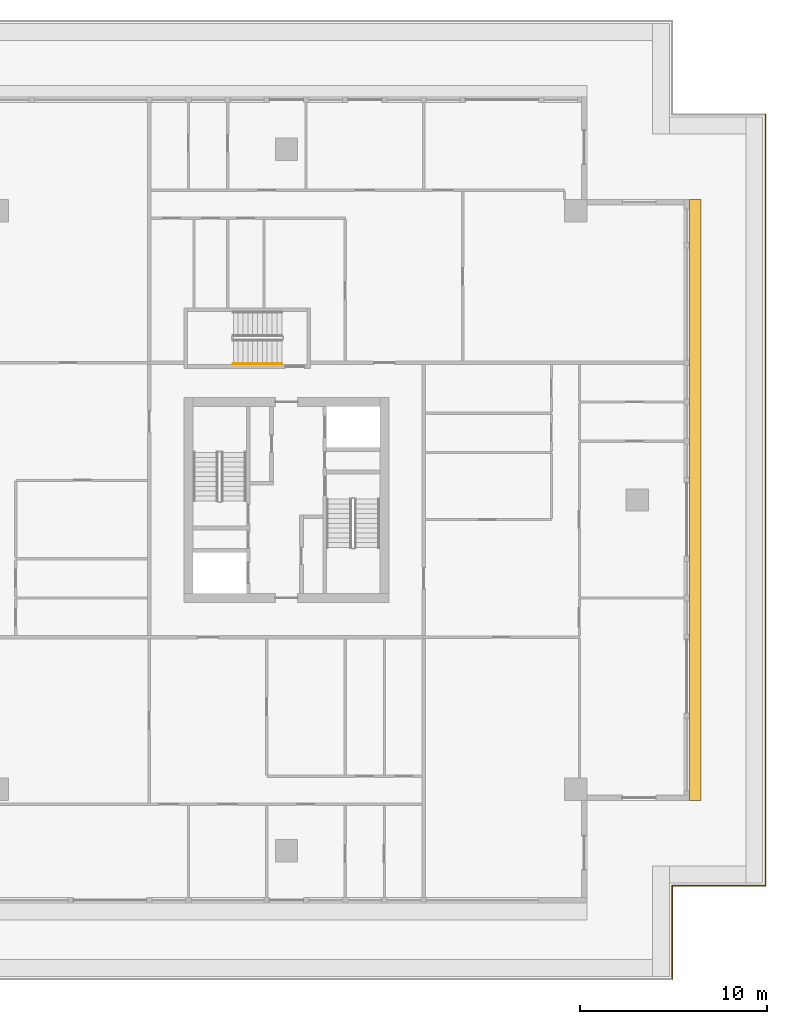
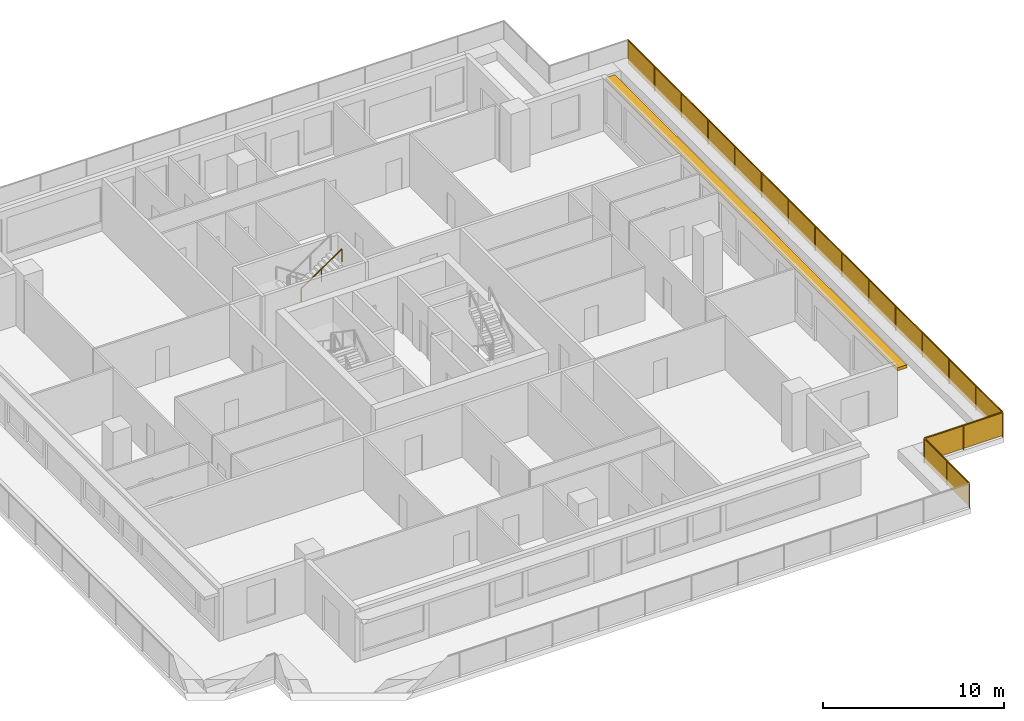
# One storey, part 9 of 11: 2 railings, 1 shading device.
"""IFC4 building model written with IfcOpenShell, lengths in metres."""

from ifc_helpers import new_model, si_unit, direction, frame, origin, origin_2d, place, context, subcontext, project, spatial, polyline, rectangle, outline, extrude, material, layer, layer_set, type_object, element, save


model = new_model("IFC4")

# Units and contexts
model_context = context("Model", 3, precision=1e-05, world=origin(), true_north=direction((0.0, 1.0)))
body_context = subcontext(model_context, "Body", "Model", "MODEL_VIEW")
ifc_project = project(units=[si_unit("LENGTHUNIT", "METRE"), si_unit("AREAUNIT", "SQUARE_METRE"), si_unit("VOLUMEUNIT", "CUBIC_METRE"), si_unit("PLANEANGLEUNIT", "RADIAN"), si_unit("MASSUNIT", "GRAM", prefix="KILO")], contexts=[model_context])

# Site, building, storey
site_placement = place(None, origin())
site = spatial("IfcSite", under=ifc_project, at=site_placement, CompositionType="ELEMENT")
building_placement = place(site_placement, origin())
building = spatial("IfcBuilding", under=site, at=building_placement, Name="Khepri Terraces", CompositionType="ELEMENT")
storey_placement = place(building_placement, frame((0.0, 0.0, 292.800048828125)))
storey = spatial("IfcBuildingStorey", under=building, at=storey_placement, Name="L70", CompositionType="ELEMENT", Elevation=292.800048828125)

# Railings
ifc_material_1 = material(Name="Stainless steel grade 316", Category="steel")
railing_type_1 = type_object("IfcRailingType", Name="GRD-TERR-1700", PredefinedType="GUARDRAIL", material=ifc_material_1)
railing_1_placement = place(storey_placement, frame((25.669921875, 20.669921875, 0.0)))
element("IfcRailing", 1, at=railing_1_placement, inside=storey, type_object=railing_type_1, Name="Terrace guard L70", PredefinedType="GUARDRAIL", context=body_context, shape_type="SweptSolid", body=[
    extrude(rectangle(XDim=0.050048828125, YDim=0.06005859375, at=origin_2d()), frame((0.0, 0.0, 1.669921875), z_axis=(0.0, -1.0, 0.0), x_axis=(1.0, 0.0, 0.0)), (0.0, 0.0, 1.0), 41.33984375),
    extrude(rectangle(XDim=2.90283203125, YDim=0.011962890625, at=origin_2d()), frame((0.0, -1.476318359375, 0.10009765625), z_axis=(0.0, 0.0, 1.0), x_axis=(0.0, -1.0, 0.0)), (0.0, 0.0, 1.0), 1.539794921875),
    extrude(rectangle(XDim=2.90283203125, YDim=0.011962890625, at=origin_2d()), frame((0.0, -4.42919921875, 0.10009765625), z_axis=(0.0, 0.0, 1.0), x_axis=(0.0, -1.0, 0.0)), (0.0, 0.0, 1.0), 1.539794921875),
    extrude(rectangle(XDim=2.90283203125, YDim=0.011962890625, at=origin_2d()), frame((0.0, -7.382080078125, 0.10009765625), z_axis=(0.0, 0.0, 1.0), x_axis=(0.0, -1.0, 0.0)), (0.0, 0.0, 1.0), 1.539794921875),
    extrude(rectangle(XDim=2.90283203125, YDim=0.011962890625, at=origin_2d()), frame((0.0, -10.3349609375, 0.10009765625), z_axis=(0.0, 0.0, 1.0), x_axis=(0.0, -1.0, 0.0)), (0.0, 0.0, 1.0), 1.539794921875),
    extrude(rectangle(XDim=2.90283203125, YDim=0.011962890625, at=origin_2d()), frame((0.0, -13.287841796875, 0.10009765625), z_axis=(0.0, 0.0, 1.0), x_axis=(0.0, -1.0, 0.0)), (0.0, 0.0, 1.0), 1.539794921875),
    extrude(rectangle(XDim=2.90283203125, YDim=0.011962890625, at=origin_2d()), frame((0.0, -16.24072265625, 0.10009765625), z_axis=(0.0, 0.0, 1.0), x_axis=(0.0, -1.0, 0.0)), (0.0, 0.0, 1.0), 1.539794921875),
    extrude(rectangle(XDim=2.90283203125, YDim=0.011962890625, at=origin_2d()), frame((0.0, -19.193603515625, 0.10009765625), z_axis=(0.0, 0.0, 1.0), x_axis=(0.0, -1.0, 0.0)), (0.0, 0.0, 1.0), 1.539794921875),
    extrude(rectangle(XDim=2.90283203125, YDim=0.011962890625, at=origin_2d()), frame((0.0, -22.146240234375, 0.10009765625), z_axis=(0.0, 0.0, 1.0), x_axis=(0.0, -1.0, 0.0)), (0.0, 0.0, 1.0), 1.539794921875),
    extrude(rectangle(XDim=2.90283203125, YDim=0.011962890625, at=origin_2d()), frame((0.0, -25.09912109375, 0.10009765625), z_axis=(0.0, 0.0, 1.0), x_axis=(0.0, -1.0, 0.0)), (0.0, 0.0, 1.0), 1.539794921875),
    extrude(rectangle(XDim=2.90283203125, YDim=0.011962890625, at=origin_2d()), frame((0.0, -28.052001953125, 0.10009765625), z_axis=(0.0, 0.0, 1.0), x_axis=(0.0, -1.0, 0.0)), (0.0, 0.0, 1.0), 1.539794921875),
    extrude(rectangle(XDim=2.90283203125, YDim=0.011962890625, at=origin_2d()), frame((0.0, -31.0048828125, 0.10009765625), z_axis=(0.0, 0.0, 1.0), x_axis=(0.0, -1.0, 0.0)), (0.0, 0.0, 1.0), 1.539794921875),
    extrude(rectangle(XDim=2.90283203125, YDim=0.011962890625, at=origin_2d()), frame((0.0, -33.957763671875, 0.10009765625), z_axis=(0.0, 0.0, 1.0), x_axis=(0.0, -1.0, 0.0)), (0.0, 0.0, 1.0), 1.539794921875),
    extrude(rectangle(XDim=2.90283203125, YDim=0.011962890625, at=origin_2d()), frame((0.0, -36.91064453125, 0.10009765625), z_axis=(0.0, 0.0, 1.0), x_axis=(0.0, -1.0, 0.0)), (0.0, 0.0, 1.0), 1.539794921875),
    extrude(rectangle(XDim=2.90283203125, YDim=0.011962890625, at=origin_2d()), frame((0.0, -39.863525390625, 0.10009765625), z_axis=(0.0, 0.0, 1.0), x_axis=(0.0, -1.0, 0.0)), (0.0, 0.0, 1.0), 1.539794921875),
    extrude(rectangle(XDim=0.050048828125, YDim=0.06005859375, at=origin_2d()), frame((0.0, -41.33984375, 1.669921875), z_axis=(-1.0, 0.0, 0.0), x_axis=(0.0, -1.0, 0.0)), (0.0, 0.0, 1.0), 5.0),
    extrude(rectangle(XDim=2.449951171875, YDim=0.011962890625, at=origin_2d()), frame((-1.25, -41.33984375, 0.10009765625), z_axis=(0.0, 0.0, 1.0), x_axis=(-1.0, 0.0, 0.0)), (0.0, 0.0, 1.0), 1.539794921875),
    extrude(rectangle(XDim=2.449951171875, YDim=0.011962890625, at=origin_2d()), frame((-3.75, -41.33984375, 0.10009765625), z_axis=(0.0, 0.0, 1.0), x_axis=(-1.0, 0.0, 0.0)), (0.0, 0.0, 1.0), 1.539794921875),
    extrude(rectangle(XDim=0.050048828125, YDim=0.06005859375, at=origin_2d()), frame((-5.0, -41.33984375, 1.669921875), z_axis=(0.0, -1.0, 0.0), x_axis=(1.0, 0.0, 0.0)), (0.0, 0.0, 1.0), 5.0),
    extrude(rectangle(XDim=2.449951171875, YDim=0.011962890625, at=origin_2d()), frame((-5.0, -42.58984375, 0.10009765625), z_axis=(0.0, 0.0, 1.0), x_axis=(0.0, -1.0, 0.0)), (0.0, 0.0, 1.0), 1.539794921875),
    extrude(rectangle(XDim=2.449951171875, YDim=0.011962890625, at=origin_2d()), frame((-5.0, -45.08984375, 0.10009765625), z_axis=(0.0, 0.0, 1.0), x_axis=(0.0, -1.0, 0.0)), (0.0, 0.0, 1.0), 1.539794921875),
    extrude(rectangle(XDim=0.050048828125, YDim=0.050048828125, at=origin_2d()), frame((0.0, -2.952880859375, 0.0)), (0.0, 0.0, 1.0), 1.639892578125),
    extrude(rectangle(XDim=0.050048828125, YDim=0.050048828125, at=origin_2d()), frame((0.0, -5.90576171875, 0.0)), (0.0, 0.0, 1.0), 1.639892578125),
    extrude(rectangle(XDim=0.050048828125, YDim=0.050048828125, at=origin_2d()), frame((0.0, -8.858642578125, 0.0)), (0.0, 0.0, 1.0), 1.639892578125),
    extrude(rectangle(XDim=0.050048828125, YDim=0.050048828125, at=origin_2d()), frame((0.0, -11.811279296875, 0.0)), (0.0, 0.0, 1.0), 1.639892578125),
    extrude(rectangle(XDim=0.050048828125, YDim=0.050048828125, at=origin_2d()), frame((0.0, -14.76416015625, 0.0)), (0.0, 0.0, 1.0), 1.639892578125),
    extrude(rectangle(XDim=0.050048828125, YDim=0.050048828125, at=origin_2d()), frame((0.0, -17.717041015625, 0.0)), (0.0, 0.0, 1.0), 1.639892578125),
    extrude(rectangle(XDim=0.050048828125, YDim=0.050048828125, at=origin_2d()), frame((0.0, -20.669921875, 0.0)), (0.0, 0.0, 1.0), 1.639892578125),
    extrude(rectangle(XDim=0.050048828125, YDim=0.050048828125, at=origin_2d()), frame((0.0, -23.622802734375, 0.0)), (0.0, 0.0, 1.0), 1.639892578125),
    extrude(rectangle(XDim=0.050048828125, YDim=0.050048828125, at=origin_2d()), frame((0.0, -26.57568359375, 0.0)), (0.0, 0.0, 1.0), 1.639892578125),
    extrude(rectangle(XDim=0.050048828125, YDim=0.050048828125, at=origin_2d()), frame((0.0, -29.528564453125, 0.0)), (0.0, 0.0, 1.0), 1.639892578125),
    extrude(rectangle(XDim=0.050048828125, YDim=0.050048828125, at=origin_2d()), frame((0.0, -32.481201171875, 0.0)), (0.0, 0.0, 1.0), 1.639892578125),
    extrude(rectangle(XDim=0.050048828125, YDim=0.050048828125, at=origin_2d()), frame((0.0, -35.43408203125, 0.0)), (0.0, 0.0, 1.0), 1.639892578125),
    extrude(rectangle(XDim=0.050048828125, YDim=0.050048828125, at=origin_2d()), frame((0.0, -38.386962890625, 0.0)), (0.0, 0.0, 1.0), 1.639892578125),
    extrude(rectangle(XDim=0.050048828125, YDim=0.050048828125, at=origin_2d()), frame((0.0, -41.33984375, 0.0)), (0.0, 0.0, 1.0), 1.639892578125),
    extrude(rectangle(XDim=0.050048828125, YDim=0.050048828125, at=origin_2d()), frame((-2.5, -41.33984375, 0.0)), (0.0, 0.0, 1.0), 1.639892578125),
    extrude(rectangle(XDim=0.050048828125, YDim=0.050048828125, at=origin_2d()), frame((-5.0, -41.33984375, 0.0)), (0.0, 0.0, 1.0), 1.639892578125),
    extrude(rectangle(XDim=0.050048828125, YDim=0.050048828125, at=origin_2d()), frame((-5.0, -43.83984375, 0.0)), (0.0, 0.0, 1.0), 1.639892578125),
    extrude(rectangle(XDim=0.050048828125, YDim=0.050048828125, at=origin_2d()), frame((-5.0, -46.33984375, 0.0)), (0.0, 0.0, 1.0), 1.639892578125),
])
ifc_material_2 = material(Name="Stainless steel 316", Category="steel")
railing_type_2 = type_object("IfcRailingType", Name="RL-CORE-HANDRAIL", PredefinedType="HANDRAIL", material=ifc_material_2)
railing_2_placement = place(storey_placement, frame((-2.85009765625, 7.300048828125, 2.127197265625)))
element("IfcRailing", 2, at=railing_2_placement, inside=storey, type_object=railing_type_2, Name="L70 ST-3 stair handrail 2", PredefinedType="HANDRAIL", context=body_context, shape_type="SweptSolid", body=[
    extrude(rectangle(XDim=0.050048828125, YDim=0.050048828125, at=origin_2d()), frame((0.0, 0.0, 0.875), z_axis=(0.826240473404, 0.0, 0.563317565952), x_axis=(0.0, 1.0, 0.0)), (0.0, 0.0, 1.0), 3.14697265625),
    extrude(rectangle(XDim=0.050048828125, YDim=0.050048828125, at=origin_2d()), origin(), (0.0, 0.0, 1.0), 0.849853515625),
    extrude(rectangle(XDim=0.050048828125, YDim=0.050048828125, at=origin_2d()), frame((1.300048828125, 0.0, 0.88623046875)), (0.0, 0.0, 1.0), 0.849853515625),
    extrude(rectangle(XDim=0.050048828125, YDim=0.050048828125, at=origin_2d()), frame((2.60009765625, 0.0, 1.772705078125)), (0.0, 0.0, 1.0), 0.849853515625),
])

# Shading device
ifc_material_3 = material(Name="Precast concrete C50/60 warm stone", Category="masonry")
ifc_layer = layer(ifc_material_3, 0.199951171875, Name="Precast concrete C50/60 warm stone", Category="masonry")
ifc_layer_set = layer_set([ifc_layer], Name="Precast concrete C50/60 warm stone")
shading_device_type = type_object("IfcShadingDeviceType", Name="SSH-BAND-STONE-200-N", PredefinedType="USERDEFINED", material=ifc_layer_set)
shading_device_placement = place(storey_placement, frame((0.0, 0.0, 3.099853515625)))
element("IfcShadingDevice", 3, at=shading_device_placement, inside=storey, type_object=shading_device_type, Name="Sunshade band L70 E", ObjectType="SUNSHADE", PredefinedType="USERDEFINED", context=body_context, shape_type="SweptSolid", body=[
    extrude(outline(polyline([(21.60009765625, 16.10009765625), (21.60009765625, -16.10009765625), (22.199951171875, -16.10009765625), (22.199951171875, 16.10009765625), (21.60009765625, 16.10009765625)])), origin(), (0.0, 0.0, 1.0), 0.2001953125),
])

save(model, "model.ifc")
